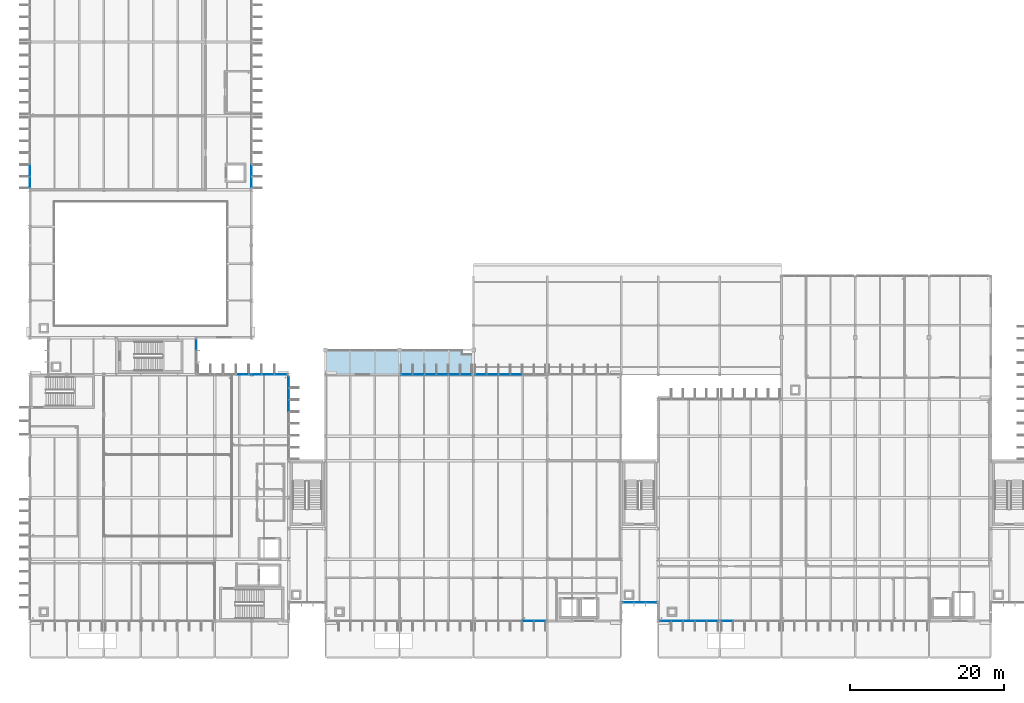
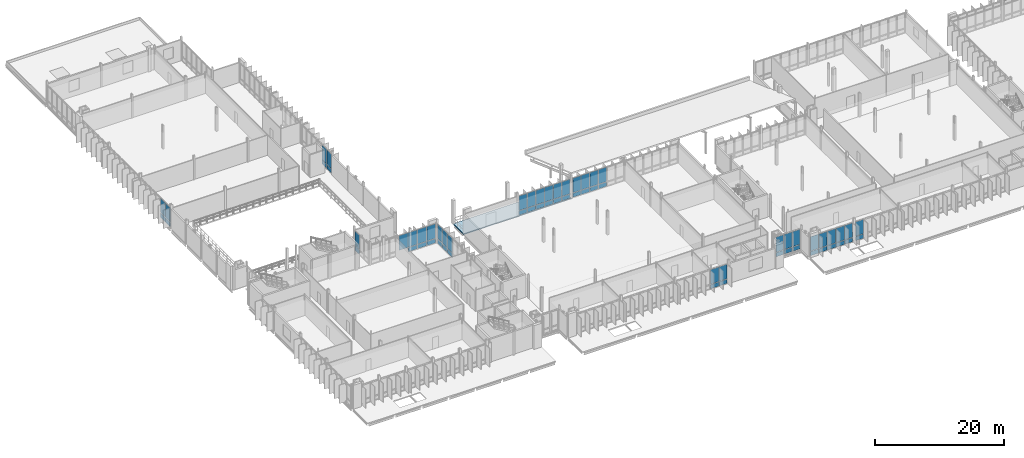
# One storey, part 48 of 107: 65 plates, 1 slab, 11 elements without a shape of their own.
"""IFC4 building model written with IfcOpenShell, lengths in metres."""

from ifc_helpers import new_model, si_unit, direction, frame, origin, origin_2d, place, context, subcontext, project, spatial, polyline, rectangle, outline, extrude, material, layer, layer_set, type_object, element, aggregate, save


model = new_model("IFC4")

# Units and contexts
model_context = context("Model", 3, precision=1e-05, world=origin(), true_north=direction((0.0, 1.0)))
body_context = subcontext(model_context, "Body", "Model", "MODEL_VIEW")
ifc_project = project(units=[si_unit("LENGTHUNIT", "METRE"), si_unit("AREAUNIT", "SQUARE_METRE"), si_unit("VOLUMEUNIT", "CUBIC_METRE"), si_unit("PLANEANGLEUNIT", "RADIAN"), si_unit("MASSUNIT", "GRAM", prefix="KILO")], contexts=[model_context])

# Site, building, storey
site_placement = place(None, origin())
site = spatial("IfcSite", under=ifc_project, at=site_placement, CompositionType="ELEMENT")
building_placement = place(site_placement, origin())
building = spatial("IfcBuilding", under=site, at=building_placement, Name="Dunescarp Central Library", CompositionType="ELEMENT")
storey_placement = place(building_placement, frame((0.0, 0.0, 5.10009765625)))
storey = spatial("IfcBuildingStorey", under=building, at=storey_placement, Name="L01", CompositionType="ELEMENT", Elevation=5.10009765625)

# Curtain wall, plates
ifc_material_1 = material(Name="Marine-grade anodised aluminium 6063-T6", Category="aluminium")
curtain_wall_type_1 = type_object("IfcCurtainWallType", Name="ARC-CW-STICK", PredefinedType="NOTDEFINED", material=ifc_material_1)
curtain_wall_1_placement = place(storey_placement, origin())
curtain_wall_1 = element("IfcCurtainWall", 1, at=curtain_wall_1_placement, inside=storey, type_object=curtain_wall_type_1, Name="L01 curtain wall CW-V1-008", PredefinedType="NOTDEFINED")
ifc_material_2 = material(Name="Solar-control laminated double glazing", Category="glass")
ifc_layer_1 = layer(ifc_material_2, 0.028076171875)
ifc_layer_set_1 = layer_set([ifc_layer_1], Name="Solar-control laminated double glazing")
plate_type_1 = type_object("IfcPlateType", Name="ARC-PLT-GLZ28", PredefinedType="CURTAIN_PANEL", material=ifc_layer_set_1)
plate_1_placement = place(storey_placement, frame((27.60009765625, 36.800048828125, 0.93994140625), z_axis=(0.0, 0.0, 1.0), x_axis=(1.0, 0.0, 0.0)))
plate_1 = element("IfcPlate", 2, at=plate_1_placement, type_object=plate_type_1, Name="CW-V1-008 panel 4.2", PredefinedType="CURTAIN_PANEL", context=body_context, shape_type="SweptSolid", body=[
    extrude(rectangle(XDim=1.584228515625, YDim=0.028076171875, at=origin_2d()), origin(), (0.0, 0.0, 1.0), 2.7451171875),
])
plate_2_placement = place(storey_placement, frame((29.264404296875, 36.800048828125, 0.93994140625), z_axis=(0.0, 0.0, 1.0), x_axis=(1.0, 0.0, 0.0)))
plate_2 = element("IfcPlate", 3, at=plate_2_placement, type_object=plate_type_1, Name="CW-V1-008 panel 5.2", PredefinedType="CURTAIN_PANEL", context=body_context, shape_type="SweptSolid", body=[
    extrude(rectangle(XDim=1.584228515625, YDim=0.028076171875, at=origin_2d()), origin(), (0.0, 0.0, 1.0), 2.7451171875),
])
plate_3_placement = place(storey_placement, frame((30.928466796875, 36.800048828125, 0.93994140625), z_axis=(0.0, 0.0, 1.0), x_axis=(1.0, 0.0, 0.0)))
plate_3 = element("IfcPlate", 4, at=plate_3_placement, type_object=plate_type_1, Name="CW-V1-008 panel 6.2", PredefinedType="CURTAIN_PANEL", context=body_context, shape_type="SweptSolid", body=[
    extrude(rectangle(XDim=1.584228515625, YDim=0.028076171875, at=origin_2d()), origin(), (0.0, 0.0, 1.0), 2.7451171875),
])
plate_4_placement = place(storey_placement, frame((32.57275390625, 36.800048828125, 0.93994140625), z_axis=(0.0, 0.0, 1.0), x_axis=(1.0, 0.0, 0.0)))
plate_4 = element("IfcPlate", 5, at=plate_4_placement, type_object=plate_type_1, Name="CW-V1-008 panel 7.2", PredefinedType="CURTAIN_PANEL", context=body_context, shape_type="SweptSolid", body=[
    extrude(rectangle(XDim=1.544189453125, YDim=0.028076171875, at=origin_2d()), origin(), (0.0, 0.0, 1.0), 2.7451171875),
])

curtain_wall_2_placement = place(storey_placement, origin())
curtain_wall_2 = element("IfcCurtainWall", 6, at=curtain_wall_2_placement, inside=storey, type_object=curtain_wall_type_1, Name="L01 curtain wall CW-V1-011", PredefinedType="NOTDEFINED")
plate_5_placement = place(storey_placement, frame((33.60009765625, 35.830078125, 0.93994140625), z_axis=(0.0, 0.0, 1.0), x_axis=(0.0, -1.0, 0.0)))
plate_5 = element("IfcPlate", 7, at=plate_5_placement, type_object=plate_type_1, Name="CW-V1-011 panel 1.2", PredefinedType="CURTAIN_PANEL", context=body_context, shape_type="SweptSolid", body=[
    extrude(rectangle(XDim=1.429931640625, YDim=0.028076171875, at=origin_2d()), origin(), (0.0, 0.0, 1.0), 2.7451171875),
])
plate_6_placement = place(storey_placement, frame((33.60009765625, 34.300048828125, 0.93994140625), z_axis=(0.0, 0.0, 1.0), x_axis=(0.0, -1.0, 0.0)))
plate_6 = element("IfcPlate", 8, at=plate_6_placement, type_object=plate_type_1, Name="CW-V1-011 panel 2.2", PredefinedType="CURTAIN_PANEL", context=body_context, shape_type="SweptSolid", body=[
    extrude(rectangle(XDim=1.469970703125, YDim=0.028076171875, at=origin_2d()), origin(), (0.0, 0.0, 1.0), 2.7451171875),
])
plate_7_placement = place(storey_placement, frame((33.60009765625, 32.75, 0.93994140625), z_axis=(0.0, 0.0, 1.0), x_axis=(0.0, -1.0, 0.0)))
plate_7 = element("IfcPlate", 9, at=plate_7_placement, type_object=plate_type_1, Name="CW-V1-011 panel 3.2", PredefinedType="CURTAIN_PANEL", context=body_context, shape_type="SweptSolid", body=[
    extrude(rectangle(XDim=1.469970703125, YDim=0.028076171875, at=origin_2d()), origin(), (0.0, 0.0, 1.0), 2.7451171875),
])

curtain_wall_3_placement = place(storey_placement, origin())
curtain_wall_3 = element("IfcCurtainWall", 10, at=curtain_wall_3_placement, inside=storey, type_object=curtain_wall_type_1, Name="L01 curtain wall CW-V2-050", PredefinedType="NOTDEFINED")
plate_8_placement = place(storey_placement, frame((66.234130859375, 4.800048828125, 0.93994140625), z_axis=(0.0, 0.0, 1.0), x_axis=(-1.0, 0.0, 0.0)))
plate_8 = element("IfcPlate", 11, at=plate_8_placement, type_object=plate_type_1, Name="CW-V2-050 panel 1.2", PredefinedType="CURTAIN_PANEL", context=body_context, shape_type="SweptSolid", body=[
    extrude(rectangle(XDim=1.421630859375, YDim=0.028076171875, at=origin_2d()), origin(), (0.0, 0.0, 1.0), 2.7451171875),
])
plate_9_placement = place(storey_placement, frame((64.71240234375, 4.800048828125, 0.93994140625), z_axis=(0.0, 0.0, 1.0), x_axis=(-1.0, 0.0, 0.0)))
plate_9 = element("IfcPlate", 12, at=plate_9_placement, type_object=plate_type_1, Name="CW-V2-050 panel 2.2", PredefinedType="CURTAIN_PANEL", context=body_context, shape_type="SweptSolid", body=[
    extrude(rectangle(XDim=1.461669921875, YDim=0.028076171875, at=origin_2d()), origin(), (0.0, 0.0, 1.0), 2.7451171875),
])

curtain_wall_4_placement = place(storey_placement, origin())
curtain_wall_4 = element("IfcCurtainWall", 13, at=curtain_wall_4_placement, inside=storey, type_object=curtain_wall_type_1, Name="L01 curtain wall CW-V2-051", PredefinedType="NOTDEFINED")
plate_10_placement = place(storey_placement, frame((48.9658203125, 36.800048828125, 0.93994140625), z_axis=(0.0, 0.0, 1.0), x_axis=(1.0, 0.0, 0.0)))
plate_10 = element("IfcPlate", 14, at=plate_10_placement, type_object=plate_type_1, Name="CW-V2-051 panel 1.2", PredefinedType="CURTAIN_PANEL", context=body_context, shape_type="SweptSolid", body=[
    extrude(rectangle(XDim=1.421630859375, YDim=0.028076171875, at=origin_2d()), origin(), (0.0, 0.0, 1.0), 2.7451171875),
])
plate_11_placement = place(storey_placement, frame((50.487548828125, 36.800048828125, 0.93994140625), z_axis=(0.0, 0.0, 1.0), x_axis=(1.0, 0.0, 0.0)))
plate_11 = element("IfcPlate", 15, at=plate_11_placement, type_object=plate_type_1, Name="CW-V2-051 panel 2.2", PredefinedType="CURTAIN_PANEL", context=body_context, shape_type="SweptSolid", body=[
    extrude(rectangle(XDim=1.461669921875, YDim=0.028076171875, at=origin_2d()), origin(), (0.0, 0.0, 1.0), 2.7451171875),
])
plate_12_placement = place(storey_placement, frame((52.029052734375, 36.800048828125, 0.93994140625), z_axis=(0.0, 0.0, 1.0), x_axis=(1.0, 0.0, 0.0)))
plate_12 = element("IfcPlate", 16, at=plate_12_placement, type_object=plate_type_1, Name="CW-V2-051 panel 3.2", PredefinedType="CURTAIN_PANEL", context=body_context, shape_type="SweptSolid", body=[
    extrude(rectangle(XDim=1.461669921875, YDim=0.028076171875, at=origin_2d()), origin(), (0.0, 0.0, 1.0), 2.7451171875),
])
plate_13_placement = place(storey_placement, frame((53.57080078125, 36.800048828125, 0.93994140625), z_axis=(0.0, 0.0, 1.0), x_axis=(1.0, 0.0, 0.0)))
plate_13 = element("IfcPlate", 17, at=plate_13_placement, type_object=plate_type_1, Name="CW-V2-051 panel 4.2", PredefinedType="CURTAIN_PANEL", context=body_context, shape_type="SweptSolid", body=[
    extrude(rectangle(XDim=1.461669921875, YDim=0.028076171875, at=origin_2d()), origin(), (0.0, 0.0, 1.0), 2.7451171875),
])
plate_14_placement = place(storey_placement, frame((55.112548828125, 36.800048828125, 0.93994140625), z_axis=(0.0, 0.0, 1.0), x_axis=(1.0, 0.0, 0.0)))
plate_14 = element("IfcPlate", 18, at=plate_14_placement, type_object=plate_type_1, Name="CW-V2-051 panel 5.2", PredefinedType="CURTAIN_PANEL", context=body_context, shape_type="SweptSolid", body=[
    extrude(rectangle(XDim=1.461669921875, YDim=0.028076171875, at=origin_2d()), origin(), (0.0, 0.0, 1.0), 2.7451171875),
])
plate_15_placement = place(storey_placement, frame((56.63427734375, 36.800048828125, 0.93994140625), z_axis=(0.0, 0.0, 1.0), x_axis=(1.0, 0.0, 0.0)))
plate_15 = element("IfcPlate", 19, at=plate_15_placement, type_object=plate_type_1, Name="CW-V2-051 panel 6.2", PredefinedType="CURTAIN_PANEL", context=body_context, shape_type="SweptSolid", body=[
    extrude(rectangle(XDim=1.421630859375, YDim=0.028076171875, at=origin_2d()), origin(), (0.0, 0.0, 1.0), 2.7451171875),
])

curtain_wall_5_placement = place(storey_placement, origin())
curtain_wall_5 = element("IfcCurtainWall", 20, at=curtain_wall_5_placement, inside=storey, type_object=curtain_wall_type_1, Name="L01 curtain wall CW-V2-052", PredefinedType="NOTDEFINED")
plate_16_placement = place(storey_placement, frame((58.56591796875, 36.800048828125, 0.93994140625), z_axis=(0.0, 0.0, 1.0), x_axis=(1.0, 0.0, 0.0)))
plate_16 = element("IfcPlate", 21, at=plate_16_placement, type_object=plate_type_1, Name="CW-V2-052 panel 1.2", PredefinedType="CURTAIN_PANEL", context=body_context, shape_type="SweptSolid", body=[
    extrude(rectangle(XDim=1.421630859375, YDim=0.028076171875, at=origin_2d()), origin(), (0.0, 0.0, 1.0), 2.7451171875),
])
plate_17_placement = place(storey_placement, frame((60.08740234375, 36.800048828125, 0.93994140625), z_axis=(0.0, 0.0, 1.0), x_axis=(1.0, 0.0, 0.0)))
plate_17 = element("IfcPlate", 22, at=plate_17_placement, type_object=plate_type_1, Name="CW-V2-052 panel 2.2", PredefinedType="CURTAIN_PANEL", context=body_context, shape_type="SweptSolid", body=[
    extrude(rectangle(XDim=1.461669921875, YDim=0.028076171875, at=origin_2d()), origin(), (0.0, 0.0, 1.0), 2.7451171875),
])
plate_18_placement = place(storey_placement, frame((61.629150390625, 36.800048828125, 0.93994140625), z_axis=(0.0, 0.0, 1.0), x_axis=(1.0, 0.0, 0.0)))
plate_18 = element("IfcPlate", 23, at=plate_18_placement, type_object=plate_type_1, Name="CW-V2-052 panel 3.2", PredefinedType="CURTAIN_PANEL", context=body_context, shape_type="SweptSolid", body=[
    extrude(rectangle(XDim=1.461669921875, YDim=0.028076171875, at=origin_2d()), origin(), (0.0, 0.0, 1.0), 2.7451171875),
])
plate_19_placement = place(storey_placement, frame((63.1708984375, 36.800048828125, 0.93994140625), z_axis=(0.0, 0.0, 1.0), x_axis=(1.0, 0.0, 0.0)))
plate_19 = element("IfcPlate", 24, at=plate_19_placement, type_object=plate_type_1, Name="CW-V2-052 panel 4.2", PredefinedType="CURTAIN_PANEL", context=body_context, shape_type="SweptSolid", body=[
    extrude(rectangle(XDim=1.461669921875, YDim=0.028076171875, at=origin_2d()), origin(), (0.0, 0.0, 1.0), 2.7451171875),
])

curtain_wall_6_placement = place(storey_placement, origin())
curtain_wall_6 = element("IfcCurtainWall", 25, at=curtain_wall_6_placement, inside=storey, type_object=curtain_wall_type_1, Name="L01 curtain wall CW-V3-084", PredefinedType="NOTDEFINED")
plate_20_placement = place(storey_placement, frame((88.639892578125, 4.800048828125, 0.93994140625), z_axis=(0.0, 0.0, 1.0), x_axis=(-1.0, 0.0, 0.0)))
plate_20 = element("IfcPlate", 26, at=plate_20_placement, type_object=plate_type_1, Name="CW-V3-084 panel 1.2", PredefinedType="CURTAIN_PANEL", context=body_context, shape_type="SweptSolid", body=[
    extrude(rectangle(XDim=1.409912109375, YDim=0.028076171875, at=origin_2d()), origin(), (0.0, 0.0, 1.0), 2.695068359375),
])
plate_21_placement = place(storey_placement, frame((87.1298828125, 4.800048828125, 0.93994140625), z_axis=(0.0, 0.0, 1.0), x_axis=(-1.0, 0.0, 0.0)))
plate_21 = element("IfcPlate", 27, at=plate_21_placement, type_object=plate_type_1, Name="CW-V3-084 panel 2.2", PredefinedType="CURTAIN_PANEL", context=body_context, shape_type="SweptSolid", body=[
    extrude(rectangle(XDim=1.449951171875, YDim=0.028076171875, at=origin_2d()), origin(), (0.0, 0.0, 1.0), 2.695068359375),
])
plate_22_placement = place(storey_placement, frame((85.60009765625, 4.800048828125, 0.93994140625), z_axis=(0.0, 0.0, 1.0), x_axis=(-1.0, 0.0, 0.0)))
plate_22 = element("IfcPlate", 28, at=plate_22_placement, type_object=plate_type_1, Name="CW-V3-084 panel 3.2", PredefinedType="CURTAIN_PANEL", context=body_context, shape_type="SweptSolid", body=[
    extrude(rectangle(XDim=1.449951171875, YDim=0.028076171875, at=origin_2d()), origin(), (0.0, 0.0, 1.0), 2.695068359375),
])
plate_23_placement = place(storey_placement, frame((84.070068359375, 4.800048828125, 0.93994140625), z_axis=(0.0, 0.0, 1.0), x_axis=(-1.0, 0.0, 0.0)))
plate_23 = element("IfcPlate", 29, at=plate_23_placement, type_object=plate_type_1, Name="CW-V3-084 panel 4.2", PredefinedType="CURTAIN_PANEL", context=body_context, shape_type="SweptSolid", body=[
    extrude(rectangle(XDim=1.449951171875, YDim=0.028076171875, at=origin_2d()), origin(), (0.0, 0.0, 1.0), 2.695068359375),
])
plate_24_placement = place(storey_placement, frame((82.56005859375, 4.800048828125, 0.93994140625), z_axis=(0.0, 0.0, 1.0), x_axis=(-1.0, 0.0, 0.0)))
plate_24 = element("IfcPlate", 30, at=plate_24_placement, type_object=plate_type_1, Name="CW-V3-084 panel 5.2", PredefinedType="CURTAIN_PANEL", context=body_context, shape_type="SweptSolid", body=[
    extrude(rectangle(XDim=1.409912109375, YDim=0.028076171875, at=origin_2d()), origin(), (0.0, 0.0, 1.0), 2.695068359375),
])

# Curtain wall, plate
curtain_wall_7_placement = place(storey_placement, origin())
curtain_wall_7 = element("IfcCurtainWall", 31, at=curtain_wall_7_placement, inside=storey, type_object=curtain_wall_type_1, Name="L01 curtain wall CW-V3-085", PredefinedType="NOTDEFINED")
plate_25_placement = place(storey_placement, frame((90.56005859375, 4.800048828125, 0.93994140625), z_axis=(0.0, 0.0, 1.0), x_axis=(-1.0, 0.0, 0.0)))
plate_25 = element("IfcPlate", 32, at=plate_25_placement, type_object=plate_type_1, Name="CW-V3-085 panel 5.2", PredefinedType="CURTAIN_PANEL", context=body_context, shape_type="SweptSolid", body=[
    extrude(rectangle(XDim=1.409912109375, YDim=0.028076171875, at=origin_2d()), origin(), (0.0, 0.0, 1.0), 2.695068359375),
])

# Curtain wall, plates
curtain_wall_8_placement = place(storey_placement, origin())
curtain_wall_8 = element("IfcCurtainWall", 33, at=curtain_wall_8_placement, inside=storey, type_object=curtain_wall_type_1, Name="L01 curtain wall CW-V4-118", PredefinedType="NOTDEFINED")
plate_26_placement = place(storey_placement, frame((0.0, 61.765869140625, 0.93994140625), z_axis=(0.0, 0.0, 1.0), x_axis=(0.0, 1.0, 0.0)))
plate_26 = element("IfcPlate", 34, at=plate_26_placement, type_object=plate_type_1, Name="CW-V4-118 panel 1.2", PredefinedType="CURTAIN_PANEL", context=body_context, shape_type="SweptSolid", body=[
    extrude(rectangle(XDim=1.421630859375, YDim=0.028076171875, at=origin_2d()), origin(), (0.0, 0.0, 1.0), 2.7119140625),
])
plate_27_placement = place(storey_placement, frame((0.0, 63.28759765625, 0.93994140625), z_axis=(0.0, 0.0, 1.0), x_axis=(0.0, 1.0, 0.0)))
plate_27 = element("IfcPlate", 35, at=plate_27_placement, type_object=plate_type_1, Name="CW-V4-118 panel 2.2", PredefinedType="CURTAIN_PANEL", context=body_context, shape_type="SweptSolid", body=[
    extrude(rectangle(XDim=1.461669921875, YDim=0.028076171875, at=origin_2d()), origin(), (0.0, 0.0, 1.0), 2.7119140625),
])

curtain_wall_9_placement = place(storey_placement, origin())
curtain_wall_9 = element("IfcCurtainWall", 36, at=curtain_wall_9_placement, inside=storey, type_object=curtain_wall_type_1, Name="L01 curtain wall CW-V4-119", PredefinedType="NOTDEFINED")
plate_28_placement = place(storey_placement, frame((28.800048828125, 63.28759765625, 0.93994140625), z_axis=(0.0, 0.0, 1.0), x_axis=(0.0, -1.0, 0.0)))
plate_28 = element("IfcPlate", 37, at=plate_28_placement, type_object=plate_type_1, Name="CW-V4-119 panel 5.2", PredefinedType="CURTAIN_PANEL", context=body_context, shape_type="SweptSolid", body=[
    extrude(rectangle(XDim=1.461669921875, YDim=0.028076171875, at=origin_2d()), origin(), (0.0, 0.0, 1.0), 2.7119140625),
])
plate_29_placement = place(storey_placement, frame((28.800048828125, 61.765869140625, 0.93994140625), z_axis=(0.0, 0.0, 1.0), x_axis=(0.0, -1.0, 0.0)))
plate_29 = element("IfcPlate", 38, at=plate_29_placement, type_object=plate_type_1, Name="CW-V4-119 panel 6.2", PredefinedType="CURTAIN_PANEL", context=body_context, shape_type="SweptSolid", body=[
    extrude(rectangle(XDim=1.421630859375, YDim=0.028076171875, at=origin_2d()), origin(), (0.0, 0.0, 1.0), 2.7119140625),
])

curtain_wall_type_2 = type_object("IfcCurtainWallType", Name="ARC-CW-LINK", PredefinedType="USERDEFINED", material=ifc_material_1)
curtain_wall_10_placement = place(storey_placement, origin())
curtain_wall_10 = element("IfcCurtainWall", 39, at=curtain_wall_10_placement, inside=storey, type_object=curtain_wall_type_2, Name="L01 curtain wall CW-GL2-S-L01", ObjectType="GLAZED_LINK_WALL", PredefinedType="USERDEFINED")
plate_30_placement = place(storey_placement, frame((80.663330078125, 7.199951171875, 0.93994140625), z_axis=(0.0, 0.0, 1.0), x_axis=(-1.0, 0.0, 0.0)))
plate_30 = element("IfcPlate", 40, at=plate_30_placement, type_object=plate_type_1, Name="CW-GL2-S-L01 panel 1.2", PredefinedType="CURTAIN_PANEL", context=body_context, shape_type="SweptSolid", body=[
    extrude(rectangle(XDim=1.36328125, YDim=0.028076171875, at=origin_2d()), origin(), (0.0, 0.0, 1.0), 2.85498046875),
])
plate_31_placement = place(storey_placement, frame((79.199951171875, 7.199951171875, 0.93994140625), z_axis=(0.0, 0.0, 1.0), x_axis=(-1.0, 0.0, 0.0)))
plate_31 = element("IfcPlate", 41, at=plate_31_placement, type_object=plate_type_1, Name="CW-GL2-S-L01 panel 2.2", PredefinedType="CURTAIN_PANEL", context=body_context, shape_type="SweptSolid", body=[
    extrude(rectangle(XDim=1.4033203125, YDim=0.028076171875, at=origin_2d()), origin(), (0.0, 0.0, 1.0), 2.85498046875),
])
plate_32_placement = place(storey_placement, frame((77.736572265625, 7.199951171875, 0.93994140625), z_axis=(0.0, 0.0, 1.0), x_axis=(-1.0, 0.0, 0.0)))
plate_32 = element("IfcPlate", 42, at=plate_32_placement, type_object=plate_type_1, Name="CW-GL2-S-L01 panel 3.2", PredefinedType="CURTAIN_PANEL", context=body_context, shape_type="SweptSolid", body=[
    extrude(rectangle(XDim=1.36328125, YDim=0.028076171875, at=origin_2d()), origin(), (0.0, 0.0, 1.0), 2.85498046875),
])

# Curtain wall, plate
curtain_wall_11_placement = place(storey_placement, origin())
curtain_wall_11 = element("IfcCurtainWall", 43, at=curtain_wall_11_placement, inside=storey, type_object=curtain_wall_type_2, Name="L01 curtain wall CW-GL4-E-L01", ObjectType="GLAZED_LINK_WALL", PredefinedType="USERDEFINED")
plate_33_placement = place(storey_placement, frame((21.60009765625, 40.663330078125, 0.93994140625), z_axis=(0.0, 0.0, 1.0), x_axis=(0.0, -1.0, 0.0)))
plate_33 = element("IfcPlate", 44, at=plate_33_placement, type_object=plate_type_1, Name="CW-GL4-E-L01 panel 1.2", PredefinedType="CURTAIN_PANEL", context=body_context, shape_type="SweptSolid", body=[
    extrude(rectangle(XDim=1.36328125, YDim=0.028076171875, at=origin_2d()), origin(), (0.0, 0.0, 1.0), 2.7451171875),
])

# Plate
ifc_layer_2 = layer(ifc_material_1, 0.050048828125)
ifc_layer_set_2 = layer_set([ifc_layer_2], Name="Marine-grade anodised aluminium 6063-T6")
plate_type_2 = type_object("IfcPlateType", Name="ARC-PLT-SPN50", PredefinedType="SHEET", material=ifc_layer_set_2)
plate_34_placement = place(storey_placement, frame((29.264404296875, 36.800048828125, 0.080078125), z_axis=(0.0, 0.0, 1.0), x_axis=(1.0, 0.0, 0.0)))
plate_34 = element("IfcPlate", 45, at=plate_34_placement, type_object=plate_type_2, Name="CW-V1-008 panel 5.1", PredefinedType="SHEET", context=body_context, shape_type="SweptSolid", body=[
    extrude(rectangle(XDim=1.584228515625, YDim=0.050048828125, at=origin_2d()), origin(), (0.0, 0.0, 1.0), 0.780029296875),
])

plate_35_placement = place(storey_placement, frame((30.928466796875, 36.800048828125, 0.080078125), z_axis=(0.0, 0.0, 1.0), x_axis=(1.0, 0.0, 0.0)))
plate_35 = element("IfcPlate", 46, at=plate_35_placement, type_object=plate_type_2, Name="CW-V1-008 panel 6.1", PredefinedType="SHEET", context=body_context, shape_type="SweptSolid", body=[
    extrude(rectangle(XDim=1.584228515625, YDim=0.050048828125, at=origin_2d()), origin(), (0.0, 0.0, 1.0), 0.780029296875),
])

plate_36_placement = place(storey_placement, frame((32.57275390625, 36.800048828125, 0.080078125), z_axis=(0.0, 0.0, 1.0), x_axis=(1.0, 0.0, 0.0)))
plate_36 = element("IfcPlate", 47, at=plate_36_placement, type_object=plate_type_2, Name="CW-V1-008 panel 7.1", PredefinedType="SHEET", context=body_context, shape_type="SweptSolid", body=[
    extrude(rectangle(XDim=1.544189453125, YDim=0.050048828125, at=origin_2d()), origin(), (0.0, 0.0, 1.0), 0.780029296875),
])

aggregate(curtain_wall_1, [plate_1, plate_34, plate_2, plate_35, plate_3, plate_36, plate_4])

plate_37_placement = place(storey_placement, frame((33.60009765625, 35.830078125, 0.080078125), z_axis=(0.0, 0.0, 1.0), x_axis=(0.0, -1.0, 0.0)))
plate_37 = element("IfcPlate", 48, at=plate_37_placement, type_object=plate_type_2, Name="CW-V1-011 panel 1.1", PredefinedType="SHEET", context=body_context, shape_type="SweptSolid", body=[
    extrude(rectangle(XDim=1.429931640625, YDim=0.050048828125, at=origin_2d()), origin(), (0.0, 0.0, 1.0), 0.780029296875),
])

plate_38_placement = place(storey_placement, frame((33.60009765625, 34.300048828125, 0.080078125), z_axis=(0.0, 0.0, 1.0), x_axis=(0.0, -1.0, 0.0)))
plate_38 = element("IfcPlate", 49, at=plate_38_placement, type_object=plate_type_2, Name="CW-V1-011 panel 2.1", PredefinedType="SHEET", context=body_context, shape_type="SweptSolid", body=[
    extrude(rectangle(XDim=1.469970703125, YDim=0.050048828125, at=origin_2d()), origin(), (0.0, 0.0, 1.0), 0.780029296875),
])

plate_39_placement = place(storey_placement, frame((33.60009765625, 32.75, 0.080078125), z_axis=(0.0, 0.0, 1.0), x_axis=(0.0, -1.0, 0.0)))
plate_39 = element("IfcPlate", 50, at=plate_39_placement, type_object=plate_type_2, Name="CW-V1-011 panel 3.1", PredefinedType="SHEET", context=body_context, shape_type="SweptSolid", body=[
    extrude(rectangle(XDim=1.469970703125, YDim=0.050048828125, at=origin_2d()), origin(), (0.0, 0.0, 1.0), 0.780029296875),
])

aggregate(curtain_wall_2, [plate_37, plate_5, plate_38, plate_6, plate_39, plate_7])

plate_40_placement = place(storey_placement, frame((66.234130859375, 4.800048828125, 0.080078125), z_axis=(0.0, 0.0, 1.0), x_axis=(-1.0, 0.0, 0.0)))
plate_40 = element("IfcPlate", 51, at=plate_40_placement, type_object=plate_type_2, Name="CW-V2-050 panel 1.1", PredefinedType="SHEET", context=body_context, shape_type="SweptSolid", body=[
    extrude(rectangle(XDim=1.421630859375, YDim=0.050048828125, at=origin_2d()), origin(), (0.0, 0.0, 1.0), 0.780029296875),
])

plate_41_placement = place(storey_placement, frame((64.71240234375, 4.800048828125, 0.080078125), z_axis=(0.0, 0.0, 1.0), x_axis=(-1.0, 0.0, 0.0)))
plate_41 = element("IfcPlate", 52, at=plate_41_placement, type_object=plate_type_2, Name="CW-V2-050 panel 2.1", PredefinedType="SHEET", context=body_context, shape_type="SweptSolid", body=[
    extrude(rectangle(XDim=1.461669921875, YDim=0.050048828125, at=origin_2d()), origin(), (0.0, 0.0, 1.0), 0.780029296875),
])

aggregate(curtain_wall_3, [plate_40, plate_8, plate_41, plate_9])

plate_42_placement = place(storey_placement, frame((48.9658203125, 36.800048828125, 0.080078125), z_axis=(0.0, 0.0, 1.0), x_axis=(1.0, 0.0, 0.0)))
plate_42 = element("IfcPlate", 53, at=plate_42_placement, type_object=plate_type_2, Name="CW-V2-051 panel 1.1", PredefinedType="SHEET", context=body_context, shape_type="SweptSolid", body=[
    extrude(rectangle(XDim=1.421630859375, YDim=0.050048828125, at=origin_2d()), origin(), (0.0, 0.0, 1.0), 0.780029296875),
])

plate_43_placement = place(storey_placement, frame((50.487548828125, 36.800048828125, 0.080078125), z_axis=(0.0, 0.0, 1.0), x_axis=(1.0, 0.0, 0.0)))
plate_43 = element("IfcPlate", 54, at=plate_43_placement, type_object=plate_type_2, Name="CW-V2-051 panel 2.1", PredefinedType="SHEET", context=body_context, shape_type="SweptSolid", body=[
    extrude(rectangle(XDim=1.461669921875, YDim=0.050048828125, at=origin_2d()), origin(), (0.0, 0.0, 1.0), 0.780029296875),
])

plate_44_placement = place(storey_placement, frame((52.029052734375, 36.800048828125, 0.080078125), z_axis=(0.0, 0.0, 1.0), x_axis=(1.0, 0.0, 0.0)))
plate_44 = element("IfcPlate", 55, at=plate_44_placement, type_object=plate_type_2, Name="CW-V2-051 panel 3.1", PredefinedType="SHEET", context=body_context, shape_type="SweptSolid", body=[
    extrude(rectangle(XDim=1.461669921875, YDim=0.050048828125, at=origin_2d()), origin(), (0.0, 0.0, 1.0), 0.780029296875),
])

plate_45_placement = place(storey_placement, frame((53.57080078125, 36.800048828125, 0.080078125), z_axis=(0.0, 0.0, 1.0), x_axis=(1.0, 0.0, 0.0)))
plate_45 = element("IfcPlate", 56, at=plate_45_placement, type_object=plate_type_2, Name="CW-V2-051 panel 4.1", PredefinedType="SHEET", context=body_context, shape_type="SweptSolid", body=[
    extrude(rectangle(XDim=1.461669921875, YDim=0.050048828125, at=origin_2d()), origin(), (0.0, 0.0, 1.0), 0.780029296875),
])

plate_46_placement = place(storey_placement, frame((55.112548828125, 36.800048828125, 0.080078125), z_axis=(0.0, 0.0, 1.0), x_axis=(1.0, 0.0, 0.0)))
plate_46 = element("IfcPlate", 57, at=plate_46_placement, type_object=plate_type_2, Name="CW-V2-051 panel 5.1", PredefinedType="SHEET", context=body_context, shape_type="SweptSolid", body=[
    extrude(rectangle(XDim=1.461669921875, YDim=0.050048828125, at=origin_2d()), origin(), (0.0, 0.0, 1.0), 0.780029296875),
])

plate_47_placement = place(storey_placement, frame((56.63427734375, 36.800048828125, 0.080078125), z_axis=(0.0, 0.0, 1.0), x_axis=(1.0, 0.0, 0.0)))
plate_47 = element("IfcPlate", 58, at=plate_47_placement, type_object=plate_type_2, Name="CW-V2-051 panel 6.1", PredefinedType="SHEET", context=body_context, shape_type="SweptSolid", body=[
    extrude(rectangle(XDim=1.421630859375, YDim=0.050048828125, at=origin_2d()), origin(), (0.0, 0.0, 1.0), 0.780029296875),
])

aggregate(curtain_wall_4, [plate_42, plate_10, plate_43, plate_11, plate_44, plate_12, plate_45, plate_13, plate_46, plate_14, plate_47, plate_15])

plate_48_placement = place(storey_placement, frame((58.56591796875, 36.800048828125, 0.080078125), z_axis=(0.0, 0.0, 1.0), x_axis=(1.0, 0.0, 0.0)))
plate_48 = element("IfcPlate", 59, at=plate_48_placement, type_object=plate_type_2, Name="CW-V2-052 panel 1.1", PredefinedType="SHEET", context=body_context, shape_type="SweptSolid", body=[
    extrude(rectangle(XDim=1.421630859375, YDim=0.050048828125, at=origin_2d()), origin(), (0.0, 0.0, 1.0), 0.780029296875),
])

plate_49_placement = place(storey_placement, frame((60.08740234375, 36.800048828125, 0.080078125), z_axis=(0.0, 0.0, 1.0), x_axis=(1.0, 0.0, 0.0)))
plate_49 = element("IfcPlate", 60, at=plate_49_placement, type_object=plate_type_2, Name="CW-V2-052 panel 2.1", PredefinedType="SHEET", context=body_context, shape_type="SweptSolid", body=[
    extrude(rectangle(XDim=1.461669921875, YDim=0.050048828125, at=origin_2d()), origin(), (0.0, 0.0, 1.0), 0.780029296875),
])

plate_50_placement = place(storey_placement, frame((61.629150390625, 36.800048828125, 0.080078125), z_axis=(0.0, 0.0, 1.0), x_axis=(1.0, 0.0, 0.0)))
plate_50 = element("IfcPlate", 61, at=plate_50_placement, type_object=plate_type_2, Name="CW-V2-052 panel 3.1", PredefinedType="SHEET", context=body_context, shape_type="SweptSolid", body=[
    extrude(rectangle(XDim=1.461669921875, YDim=0.050048828125, at=origin_2d()), origin(), (0.0, 0.0, 1.0), 0.780029296875),
])

plate_51_placement = place(storey_placement, frame((63.1708984375, 36.800048828125, 0.080078125), z_axis=(0.0, 0.0, 1.0), x_axis=(1.0, 0.0, 0.0)))
plate_51 = element("IfcPlate", 62, at=plate_51_placement, type_object=plate_type_2, Name="CW-V2-052 panel 4.1", PredefinedType="SHEET", context=body_context, shape_type="SweptSolid", body=[
    extrude(rectangle(XDim=1.461669921875, YDim=0.050048828125, at=origin_2d()), origin(), (0.0, 0.0, 1.0), 0.780029296875),
])

aggregate(curtain_wall_5, [plate_48, plate_16, plate_49, plate_17, plate_50, plate_18, plate_51, plate_19])

plate_52_placement = place(storey_placement, frame((88.639892578125, 4.800048828125, 0.080078125), z_axis=(0.0, 0.0, 1.0), x_axis=(-1.0, 0.0, 0.0)))
plate_52 = element("IfcPlate", 63, at=plate_52_placement, type_object=plate_type_2, Name="CW-V3-084 panel 1.1", PredefinedType="SHEET", context=body_context, shape_type="SweptSolid", body=[
    extrude(rectangle(XDim=1.409912109375, YDim=0.050048828125, at=origin_2d()), origin(), (0.0, 0.0, 1.0), 0.780029296875),
])

plate_53_placement = place(storey_placement, frame((87.1298828125, 4.800048828125, 0.080078125), z_axis=(0.0, 0.0, 1.0), x_axis=(-1.0, 0.0, 0.0)))
plate_53 = element("IfcPlate", 64, at=plate_53_placement, type_object=plate_type_2, Name="CW-V3-084 panel 2.1", PredefinedType="SHEET", context=body_context, shape_type="SweptSolid", body=[
    extrude(rectangle(XDim=1.449951171875, YDim=0.050048828125, at=origin_2d()), origin(), (0.0, 0.0, 1.0), 0.780029296875),
])

plate_54_placement = place(storey_placement, frame((85.60009765625, 4.800048828125, 0.080078125), z_axis=(0.0, 0.0, 1.0), x_axis=(-1.0, 0.0, 0.0)))
plate_54 = element("IfcPlate", 65, at=plate_54_placement, type_object=plate_type_2, Name="CW-V3-084 panel 3.1", PredefinedType="SHEET", context=body_context, shape_type="SweptSolid", body=[
    extrude(rectangle(XDim=1.449951171875, YDim=0.050048828125, at=origin_2d()), origin(), (0.0, 0.0, 1.0), 0.780029296875),
])

plate_55_placement = place(storey_placement, frame((84.070068359375, 4.800048828125, 0.080078125), z_axis=(0.0, 0.0, 1.0), x_axis=(-1.0, 0.0, 0.0)))
plate_55 = element("IfcPlate", 66, at=plate_55_placement, type_object=plate_type_2, Name="CW-V3-084 panel 4.1", PredefinedType="SHEET", context=body_context, shape_type="SweptSolid", body=[
    extrude(rectangle(XDim=1.449951171875, YDim=0.050048828125, at=origin_2d()), origin(), (0.0, 0.0, 1.0), 0.780029296875),
])

plate_56_placement = place(storey_placement, frame((82.56005859375, 4.800048828125, 0.080078125), z_axis=(0.0, 0.0, 1.0), x_axis=(-1.0, 0.0, 0.0)))
plate_56 = element("IfcPlate", 67, at=plate_56_placement, type_object=plate_type_2, Name="CW-V3-084 panel 5.1", PredefinedType="SHEET", context=body_context, shape_type="SweptSolid", body=[
    extrude(rectangle(XDim=1.409912109375, YDim=0.050048828125, at=origin_2d()), origin(), (0.0, 0.0, 1.0), 0.780029296875),
])

aggregate(curtain_wall_6, [plate_52, plate_20, plate_53, plate_21, plate_54, plate_22, plate_55, plate_23, plate_56, plate_24])

plate_57_placement = place(storey_placement, frame((90.56005859375, 4.800048828125, 0.080078125), z_axis=(0.0, 0.0, 1.0), x_axis=(-1.0, 0.0, 0.0)))
plate_57 = element("IfcPlate", 68, at=plate_57_placement, type_object=plate_type_2, Name="CW-V3-085 panel 5.1", PredefinedType="SHEET", context=body_context, shape_type="SweptSolid", body=[
    extrude(rectangle(XDim=1.409912109375, YDim=0.050048828125, at=origin_2d()), origin(), (0.0, 0.0, 1.0), 0.780029296875),
])

aggregate(curtain_wall_7, [plate_57, plate_25])

plate_58_placement = place(storey_placement, frame((0.0, 61.765869140625, 0.080078125), z_axis=(0.0, 0.0, 1.0), x_axis=(0.0, 1.0, 0.0)))
plate_58 = element("IfcPlate", 69, at=plate_58_placement, type_object=plate_type_2, Name="CW-V4-118 panel 1.1", PredefinedType="SHEET", context=body_context, shape_type="SweptSolid", body=[
    extrude(rectangle(XDim=1.421630859375, YDim=0.050048828125, at=origin_2d()), origin(), (0.0, 0.0, 1.0), 0.780029296875),
])

plate_59_placement = place(storey_placement, frame((0.0, 63.28759765625, 0.080078125), z_axis=(0.0, 0.0, 1.0), x_axis=(0.0, 1.0, 0.0)))
plate_59 = element("IfcPlate", 70, at=plate_59_placement, type_object=plate_type_2, Name="CW-V4-118 panel 2.1", PredefinedType="SHEET", context=body_context, shape_type="SweptSolid", body=[
    extrude(rectangle(XDim=1.461669921875, YDim=0.050048828125, at=origin_2d()), origin(), (0.0, 0.0, 1.0), 0.780029296875),
])

aggregate(curtain_wall_8, [plate_58, plate_26, plate_59, plate_27])

plate_60_placement = place(storey_placement, frame((28.800048828125, 63.28759765625, 0.080078125), z_axis=(0.0, 0.0, 1.0), x_axis=(0.0, -1.0, 0.0)))
plate_60 = element("IfcPlate", 71, at=plate_60_placement, type_object=plate_type_2, Name="CW-V4-119 panel 5.1", PredefinedType="SHEET", context=body_context, shape_type="SweptSolid", body=[
    extrude(rectangle(XDim=1.461669921875, YDim=0.050048828125, at=origin_2d()), origin(), (0.0, 0.0, 1.0), 0.780029296875),
])

plate_61_placement = place(storey_placement, frame((28.800048828125, 61.765869140625, 0.080078125), z_axis=(0.0, 0.0, 1.0), x_axis=(0.0, -1.0, 0.0)))
plate_61 = element("IfcPlate", 72, at=plate_61_placement, type_object=plate_type_2, Name="CW-V4-119 panel 6.1", PredefinedType="SHEET", context=body_context, shape_type="SweptSolid", body=[
    extrude(rectangle(XDim=1.421630859375, YDim=0.050048828125, at=origin_2d()), origin(), (0.0, 0.0, 1.0), 0.780029296875),
])

aggregate(curtain_wall_9, [plate_60, plate_28, plate_61, plate_29])

plate_62_placement = place(storey_placement, frame((80.663330078125, 7.199951171875, 0.080078125), z_axis=(0.0, 0.0, 1.0), x_axis=(-1.0, 0.0, 0.0)))
plate_62 = element("IfcPlate", 73, at=plate_62_placement, type_object=plate_type_2, Name="CW-GL2-S-L01 panel 1.1", PredefinedType="SHEET", context=body_context, shape_type="SweptSolid", body=[
    extrude(rectangle(XDim=1.36328125, YDim=0.050048828125, at=origin_2d()), origin(), (0.0, 0.0, 1.0), 0.780029296875),
])

plate_63_placement = place(storey_placement, frame((79.199951171875, 7.199951171875, 0.080078125), z_axis=(0.0, 0.0, 1.0), x_axis=(-1.0, 0.0, 0.0)))
plate_63 = element("IfcPlate", 74, at=plate_63_placement, type_object=plate_type_2, Name="CW-GL2-S-L01 panel 2.1", PredefinedType="SHEET", context=body_context, shape_type="SweptSolid", body=[
    extrude(rectangle(XDim=1.4033203125, YDim=0.050048828125, at=origin_2d()), origin(), (0.0, 0.0, 1.0), 0.780029296875),
])

plate_64_placement = place(storey_placement, frame((77.736572265625, 7.199951171875, 0.080078125), z_axis=(0.0, 0.0, 1.0), x_axis=(-1.0, 0.0, 0.0)))
plate_64 = element("IfcPlate", 75, at=plate_64_placement, type_object=plate_type_2, Name="CW-GL2-S-L01 panel 3.1", PredefinedType="SHEET", context=body_context, shape_type="SweptSolid", body=[
    extrude(rectangle(XDim=1.36328125, YDim=0.050048828125, at=origin_2d()), origin(), (0.0, 0.0, 1.0), 0.780029296875),
])

aggregate(curtain_wall_10, [plate_62, plate_30, plate_63, plate_31, plate_64, plate_32])

plate_65_placement = place(storey_placement, frame((21.60009765625, 40.663330078125, 0.080078125), z_axis=(0.0, 0.0, 1.0), x_axis=(0.0, -1.0, 0.0)))
plate_65 = element("IfcPlate", 76, at=plate_65_placement, type_object=plate_type_2, Name="CW-GL4-E-L01 panel 1.1", PredefinedType="SHEET", context=body_context, shape_type="SweptSolid", body=[
    extrude(rectangle(XDim=1.36328125, YDim=0.050048828125, at=origin_2d()), origin(), (0.0, 0.0, 1.0), 0.780029296875),
])

aggregate(curtain_wall_11, [plate_65, plate_33])

# Slab
ifc_material_3 = material(Name="Concrete C35/45", Category="concrete")
ifc_layer_3 = layer(ifc_material_3, 0.18994140625)
ifc_layer_set_3 = layer_set([ifc_layer_3], Name="Concrete C35/45")
slab_type = type_object("IfcSlabType", Name="STR-SLB-TER190", PredefinedType="FLOOR", material=ifc_layer_set_3)
slab_placement = place(storey_placement, frame((0.0, 0.0, -0.190185546875)))
element("IfcSlab", 77, at=slab_placement, inside=storey, type_object=slab_type, Name="L01 outdoor reading terrace TER-L01-V2N", PredefinedType="FLOOR", context=body_context, shape_type="SweptSolid", body=[
    extrude(outline(polyline([(38.39990234375, 36.800048828125), (57.60009765625, 36.800048828125), (57.60009765625, 39.5), (56.199951171875, 39.5), (56.199951171875, 40.0), (38.39990234375, 40.0), (38.39990234375, 36.800048828125)])), origin(), (0.0, 0.0, 1.0), 0.190185546875),
])

save(model, "model.ifc")
